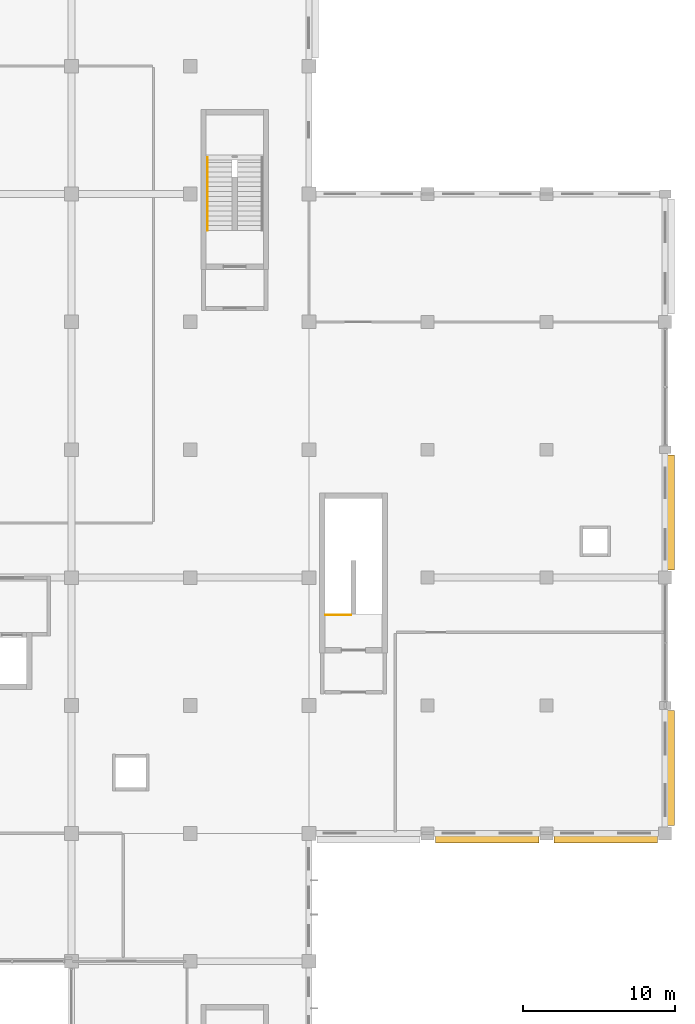
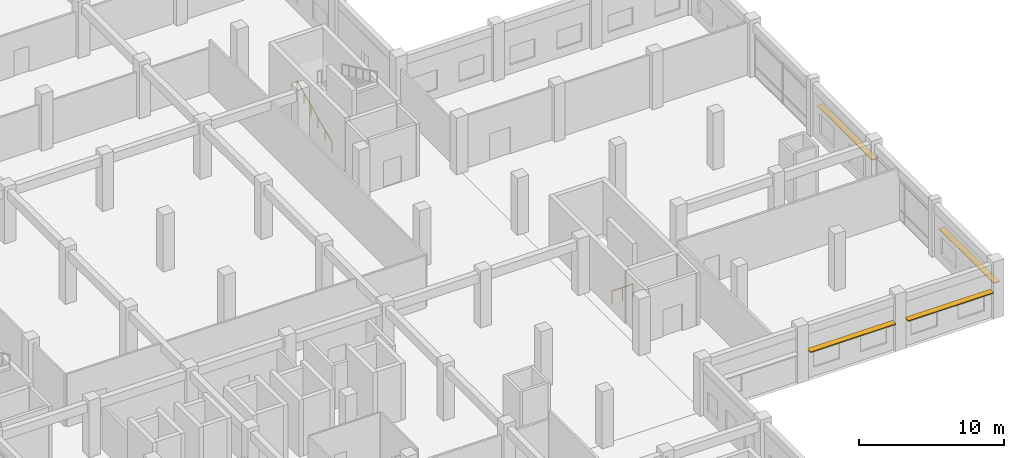
# One storey, part 78 of 79: 4 shading devices, 2 railings.
"""IFC4 building model written with IfcOpenShell, lengths in metres."""

from ifc_helpers import new_model, si_unit, direction, frame, origin, origin_2d, place, context, subcontext, project, spatial, rectangle, circle, extrude, material, layer, layer_set, type_object, element, save


model = new_model("IFC4")

# Units and contexts
model_context = context("Model", 3, precision=1e-05, world=origin(), true_north=direction((0.0, 1.0)))
body_context = subcontext(model_context, "Body", "Model", "MODEL_VIEW")
ifc_project = project(units=[si_unit("LENGTHUNIT", "METRE"), si_unit("AREAUNIT", "SQUARE_METRE"), si_unit("VOLUMEUNIT", "CUBIC_METRE"), si_unit("PLANEANGLEUNIT", "RADIAN"), si_unit("MASSUNIT", "GRAM", prefix="KILO"), si_unit("THERMODYNAMICTEMPERATUREUNIT", "KELVIN"), si_unit("POWERUNIT", "WATT")], contexts=[model_context])

# Site, building, storey
site_placement = place(None, origin())
site = spatial("IfcSite", under=ifc_project, at=site_placement, CompositionType="ELEMENT")
building_placement = place(site_placement, origin())
building = spatial("IfcBuilding", under=site, at=building_placement, Name="Srebrne Nadtorze General Hospital", CompositionType="ELEMENT")
storey_placement = place(building_placement, frame((0.0, 0.0, 4.800048828125)))
storey = spatial("IfcBuildingStorey", under=building, at=storey_placement, Name="L01", CompositionType="ELEMENT", Elevation=4.800048828125)

# Shading devices
ifc_material_1 = material(Name="Anodised Aluminium", Category="aluminium")
ifc_layer = layer(ifc_material_1, 0.080078125)
ifc_layer_set = layer_set([ifc_layer], Name="Anodised Aluminium")
shading_device_type = type_object("IfcShadingDeviceType", Name="Hisashi horizontal aluminium sunshade", PredefinedType="JALOUSIE", material=ifc_layer_set)
for number, where, z_axis, x_axis, name in (
    (1, (159.89990234375, 33.219970703125, 2.419921875), (0.0, 0.0, 1.0), (1.0, 0.0, 0.0), "Hisashi horizontal sunshade eave LV-092"),
    (2, (167.699951171875, 33.219970703125, 2.31982421875), (0.0, 0.0, 1.0), (1.0, 0.0, 0.0), "Hisashi horizontal sunshade eave LV-093"),
):
    element("IfcShadingDevice", number, at=place(storey_placement, frame(where, z_axis=z_axis, x_axis=x_axis)), inside=storey, type_object=shading_device_type, Name=name, PredefinedType="JALOUSIE", context=body_context, shape_type="SweptSolid", body=[
        extrude(rectangle(XDim=6.7900390625, YDim=0.47998046875, at=origin_2d()), origin(), (0.0, 0.0, 1.0), 0.080078125),
    ])
for number, where, z_axis, x_axis, name in (
    (3, (171.97998046875, 37.887451171875, 2.219970703125), (0.0, 0.0, 1.0), (1.0, 0.0, 0.0), "Hisashi horizontal sunshade eave LV-123"),
    (4, (171.97998046875, 54.6875, 2.419921875), (0.0, 0.0, 1.0), (1.0, 0.0, 0.0), "Hisashi horizontal sunshade eave LV-124"),
):
    element("IfcShadingDevice", number, at=place(storey_placement, frame(where, z_axis=z_axis, x_axis=x_axis)), inside=storey, type_object=shading_device_type, Name=name, PredefinedType="JALOUSIE", context=body_context, shape_type="SweptSolid", body=[
        extrude(rectangle(XDim=0.47998046875, YDim=7.56494140625, at=origin_2d()), origin(), (0.0, 0.0, 1.0), 0.080078125),
    ])

# Railings
ifc_material_2 = material(Name="Stainless Steel 316", Category="steel")
railing_type_1 = type_object("IfcRailingType", Name="Stairwell safety guard 1120", PredefinedType="BALUSTRADE", material=ifc_material_2)
railing_1_placement = place(storey_placement, frame((149.2900390625, 47.93994140625, 0.0)))
element("IfcRailing", 5, at=railing_1_placement, inside=storey, type_object=railing_type_1, Name="Top stairwell guard ST-06", PredefinedType="BALUSTRADE", context=body_context, shape_type="SweptSolid", body=[
    extrude(circle(Radius=0.02392578125, at=origin_2d()), frame((0.0, 0.0, 1.09619140625), z_axis=(1.0, 0.0, 0.0), x_axis=(0.0, 1.0, 0.0)), (0.0, 0.0, 1.0), 1.655029296875),
    extrude(circle(Radius=0.02099609375, at=origin_2d()), origin(), (0.0, 0.0, 1.0), 1.072021484375),
    extrude(circle(Radius=0.02099609375, at=origin_2d()), frame((0.82763671875, 0.0, 0.0)), (0.0, 0.0, 1.0), 1.072021484375),
    extrude(circle(Radius=0.02099609375, at=origin_2d()), frame((1.655029296875, 0.0, 0.0)), (0.0, 0.0, 1.0), 1.072021484375),
])
ifc_material_3 = material(Name="Stainless Steel 316", Category="steel")
railing_type_2 = type_object("IfcRailingType", Name="Tubular stainless handrail 920", PredefinedType="HANDRAIL", material=ifc_material_3)
railing_2_placement = place(storey_placement, frame((141.530029296875, 73.199951171875, 0.14990234375)))
element("IfcRailing", 6, at=railing_2_placement, inside=storey, type_object=railing_type_2, Name="Stair flight handrail ST-04-L01 F1", PredefinedType="HANDRAIL", context=body_context, shape_type="SweptSolid", body=[
    extrude(circle(Radius=0.02392578125, at=origin_2d()), frame((0.0, 0.0, 0.89599609375), z_axis=(0.0, 0.90546059521, 0.424430336476), x_axis=(-1.0, 0.0, 0.0)), (0.0, 0.0, 1.0), 5.30126953125),
    extrude(circle(Radius=0.02099609375, at=origin_2d()), origin(), (0.0, 0.0, 1.0), 0.871826171875),
    extrude(circle(Radius=0.02099609375, at=origin_2d()), frame((0.0, 0.9599609375, 0.449951171875)), (0.0, 0.0, 1.0), 0.871826171875),
    extrude(circle(Radius=0.02099609375, at=origin_2d()), frame((0.0, 1.919921875, 0.89990234375)), (0.0, 0.0, 1.0), 0.871826171875),
    extrude(circle(Radius=0.02099609375, at=origin_2d()), frame((0.0, 2.880126953125, 1.35009765625)), (0.0, 0.0, 1.0), 0.871826171875),
    extrude(circle(Radius=0.02099609375, at=origin_2d()), frame((0.0, 3.840087890625, 1.800048828125)), (0.0, 0.0, 1.0), 0.871826171875),
    extrude(circle(Radius=0.02099609375, at=origin_2d()), frame((0.0, 4.800048828125, 2.25)), (0.0, 0.0, 1.0), 0.871826171875),
])

save(model, "model.ifc")
